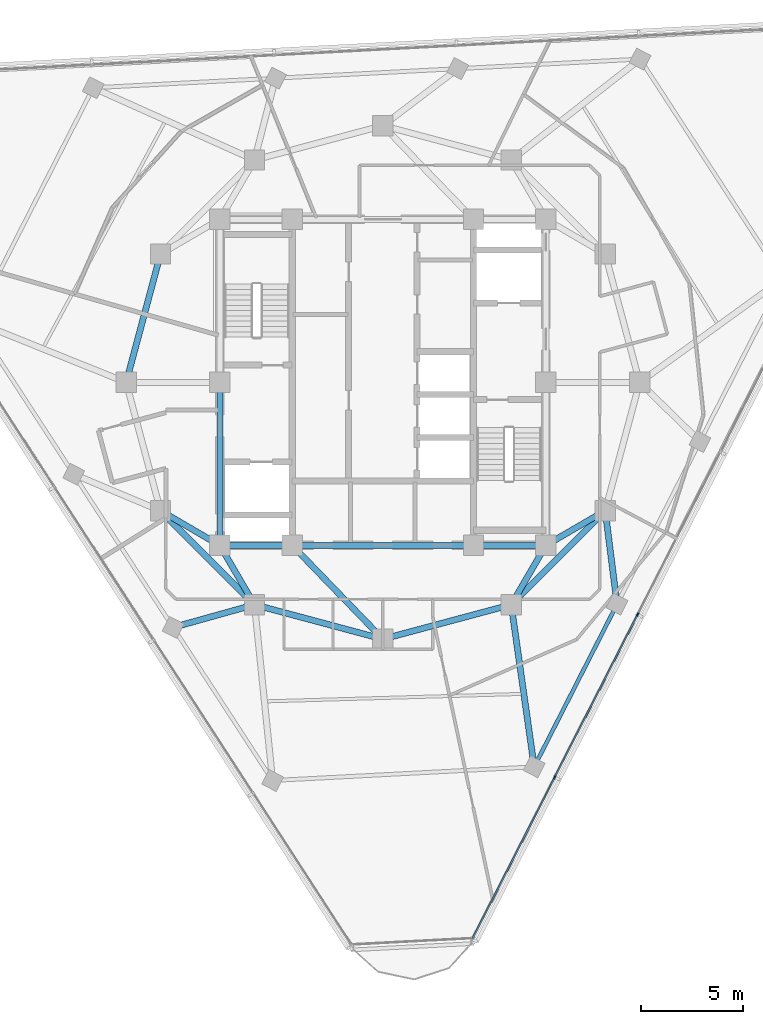
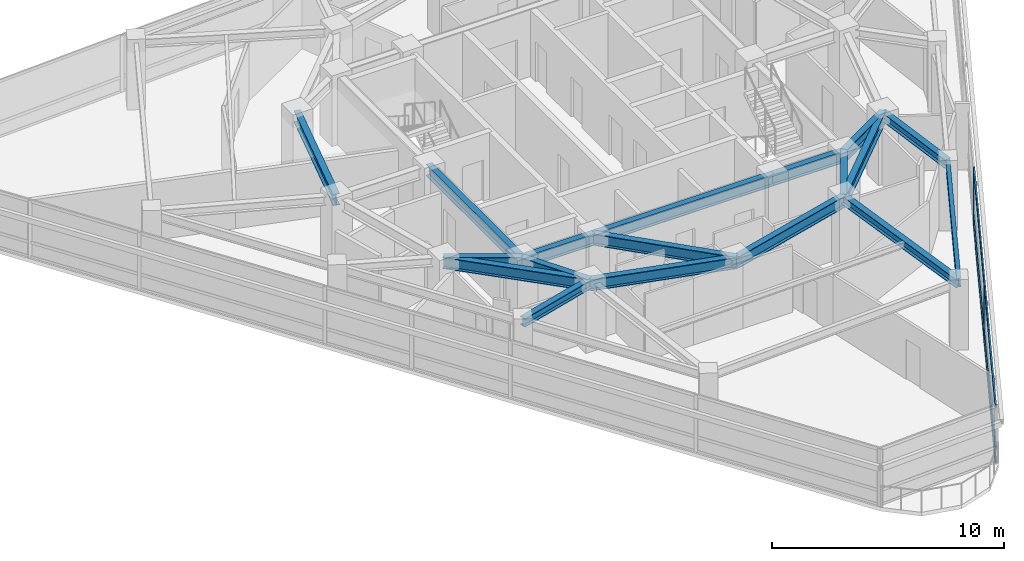
# One storey, part 3 of 15: 18 beams, 8 members, 1 element without a shape of its own.
"""IFC4 building model written with IfcOpenShell, lengths in metres."""

from ifc_helpers import new_model, si_unit, direction, frame, origin, origin_2d, place, context, subcontext, project, spatial, rectangle, i_section, extrude, material, layer, layer_set, material_profile, profile_set, type_object, element, aggregate, save


model = new_model("IFC4")

# Units and contexts
model_context = context("Model", 3, precision=1e-05, world=origin(), true_north=direction((0.0, 1.0)))
body_context = subcontext(model_context, "Body", "Model", "MODEL_VIEW")
ifc_project = project(units=[si_unit("LENGTHUNIT", "METRE"), si_unit("AREAUNIT", "SQUARE_METRE"), si_unit("VOLUMEUNIT", "CUBIC_METRE"), si_unit("PLANEANGLEUNIT", "RADIAN"), si_unit("MASSUNIT", "GRAM", prefix="KILO")], contexts=[model_context])

# Site, building, storey
site_placement = place(None, origin())
site = spatial("IfcSite", under=ifc_project, at=site_placement, CompositionType="ELEMENT")
building_placement = place(site_placement, origin())
building = spatial("IfcBuilding", under=site, at=building_placement, Name="Terralouvre Media Tower", CompositionType="ELEMENT")
storey_placement = place(building_placement, frame((0.0, 0.0, 263.300048828125)))
storey = spatial("IfcBuildingStorey", under=building, at=storey_placement, Name="L68", CompositionType="ELEMENT", Elevation=263.300048828125)

# Curtain wall, members
ifc_material_1 = material(Name="Low-iron laminated double glazing with solar-control coating", Category="glass")
ifc_layer = layer(ifc_material_1, 0.1650390625, Name="Upper Executive Tower Curtain Wall CW-05")
ifc_layer_set = layer_set([ifc_layer], Name="Low-iron laminated double glazing with solar-control coating")
curtain_wall_type = type_object("IfcCurtainWallType", Name="Upper Executive Tower Curtain Wall CW-05", PredefinedType="NOTDEFINED", material=ifc_layer_set)
curtain_wall_placement = place(storey_placement, origin())
curtain_wall = element("IfcCurtainWall", 1, at=curtain_wall_placement, inside=storey, type_object=curtain_wall_type, Name="L68 Facade Curtain Wall F0", PredefinedType="NOTDEFINED")
ifc_material_2 = material(Name="Anodised extruded aluminium 6063-T6", Category="aluminium")
ifc_material_profile_1 = material_profile(ifc_material_2, rectangle(XDim=0.074951171875, YDim=0.14990234375, at=origin_2d()), Name="ALU 75x150")
ifc_profile_set_1 = profile_set([ifc_material_profile_1], Name="Anodised extruded aluminium 6063-T6")
member_type_1 = type_object("IfcMemberType", Name="Curtain-Wall Horizontal Transom TR-150", PredefinedType="USERDEFINED", material=ifc_profile_set_1)
member_1_placement = place(storey_placement, frame((4.3994140625, -27.297607421875, 0.037353515625), z_axis=(0.453977864671, 0.891012961964, 0.0), x_axis=(-0.891012961964, 0.453977864671, 0.0)))
member_1 = element("IfcMember", 2, at=member_1_placement, type_object=member_type_1, Name="CW-05 transom 1.1", ObjectType="TRANSOM", PredefinedType="USERDEFINED", context=body_context, shape_type="SweptSolid", body=[
    extrude(rectangle(XDim=0.074951171875, YDim=0.14990234375, at=origin_2d()), origin(), (0.0, 0.0, 1.0), 8.84765625),
])
member_2_placement = place(storey_placement, frame((4.3994140625, -27.297607421875, 0.800048828125), z_axis=(0.453977864671, 0.891012961964, 0.0), x_axis=(-0.891012961964, 0.453977864671, 0.0)))
member_2 = element("IfcMember", 3, at=member_2_placement, type_object=member_type_1, Name="CW-05 transom 1.2", ObjectType="TRANSOM", PredefinedType="USERDEFINED", context=body_context, shape_type="SweptSolid", body=[
    extrude(rectangle(XDim=0.074951171875, YDim=0.14990234375, at=origin_2d()), origin(), (0.0, 0.0, 1.0), 8.84765625),
])
member_3_placement = place(storey_placement, frame((4.3994140625, -27.297607421875, 2.96240234375), z_axis=(0.453977864671, 0.891012961964, 0.0), x_axis=(-0.891012961964, 0.453977864671, 0.0)))
member_3 = element("IfcMember", 4, at=member_3_placement, type_object=member_type_1, Name="CW-05 transom 1.3", ObjectType="TRANSOM", PredefinedType="USERDEFINED", context=body_context, shape_type="SweptSolid", body=[
    extrude(rectangle(XDim=0.074951171875, YDim=0.14990234375, at=origin_2d()), origin(), (0.0, 0.0, 1.0), 8.84765625),
])
member_4_placement = place(storey_placement, frame((8.449951171875, -19.347412109375, 0.037353515625), z_axis=(0.454015101289, 0.890993988645, 0.0), x_axis=(-0.890993988645, 0.454015101289, 0.0)))
member_4 = element("IfcMember", 5, at=member_4_placement, type_object=member_type_1, Name="CW-05 transom 2.1", ObjectType="TRANSOM", PredefinedType="USERDEFINED", context=body_context, shape_type="SweptSolid", body=[
    extrude(rectangle(XDim=0.074951171875, YDim=0.14990234375, at=origin_2d()), origin(), (0.0, 0.0, 1.0), 8.885009765625),
])
member_5_placement = place(storey_placement, frame((8.449951171875, -19.347412109375, 0.800048828125), z_axis=(0.454015101289, 0.890993988645, 0.0), x_axis=(-0.890993988645, 0.454015101289, 0.0)))
member_5 = element("IfcMember", 6, at=member_5_placement, type_object=member_type_1, Name="CW-05 transom 2.2", ObjectType="TRANSOM", PredefinedType="USERDEFINED", context=body_context, shape_type="SweptSolid", body=[
    extrude(rectangle(XDim=0.074951171875, YDim=0.14990234375, at=origin_2d()), origin(), (0.0, 0.0, 1.0), 8.885009765625),
])
member_6_placement = place(storey_placement, frame((8.449951171875, -19.347412109375, 2.96240234375), z_axis=(0.454015101289, 0.890993988645, 0.0), x_axis=(-0.890993988645, 0.454015101289, 0.0)))
member_6 = element("IfcMember", 7, at=member_6_placement, type_object=member_type_1, Name="CW-05 transom 2.3", ObjectType="TRANSOM", PredefinedType="USERDEFINED", context=body_context, shape_type="SweptSolid", body=[
    extrude(rectangle(XDim=0.074951171875, YDim=0.14990234375, at=origin_2d()), origin(), (0.0, 0.0, 1.0), 8.885009765625),
])
ifc_material_3 = material(Name="Anodised extruded aluminium 6063-T6", Category="aluminium")
ifc_material_profile_2 = material_profile(ifc_material_3, rectangle(XDim=0.074951171875, YDim=0.179931640625, at=origin_2d()), Name="ALU 75x180")
ifc_profile_set_2 = profile_set([ifc_material_profile_2], Name="Anodised extruded aluminium 6063-T6")
member_type_2 = type_object("IfcMemberType", Name="Curtain-Wall Vertical Mullion ML-180", PredefinedType="MULLION", material=ifc_profile_set_2)
member_7_placement = place(storey_placement, frame((8.43310546875, -19.380859375, 0.0), z_axis=(0.0, 0.0, 1.0), x_axis=(-0.891006553308, 0.45399044259, 0.0)))
member_7 = element("IfcMember", 8, at=member_7_placement, type_object=member_type_2, Name="CW-05 mullion 2", PredefinedType="MULLION", context=body_context, shape_type="SweptSolid", body=[
    extrude(rectangle(XDim=0.074951171875, YDim=0.179931640625, at=origin_2d()), origin(), (0.0, 0.0, 1.0), 3.0),
])
member_8_placement = place(storey_placement, frame((12.500732421875, -11.3974609375, 0.0), z_axis=(0.0, 0.0, 1.0), x_axis=(-0.891006553308, 0.45399044259, 0.0)))
member_8 = element("IfcMember", 9, at=member_8_placement, type_object=member_type_2, Name="CW-05 mullion 3", PredefinedType="MULLION", context=body_context, shape_type="SweptSolid", body=[
    extrude(rectangle(XDim=0.074951171875, YDim=0.179931640625, at=origin_2d()), origin(), (0.0, 0.0, 1.0), 3.0),
])
aggregate(curtain_wall, [member_7, member_8, member_1, member_2, member_3, member_4, member_5, member_6])

# Beams
ifc_material_4 = material(Name="Structural steel S355J2", Category="steel")
ifc_material_profile_3 = material_profile(ifc_material_4, i_section(OverallWidth=0.18994140625, OverallDepth=0.449951171875, WebThickness=0.009521484375, FlangeThickness=0.0146484375, at=origin_2d()), Name="IPE 450")
ifc_profile_set_3 = profile_set([ifc_material_profile_3], Name="Structural steel S355J2")
beam_type_1 = type_object("IfcBeamType", Name="Perimeter Spandrel Beam SPB-450 (IPE 450)", PredefinedType="SPANDREL", material=ifc_profile_set_3)
beam_1_placement = place(storey_placement, frame((7.42626953125, -18.867919921875, 3.27490234375), z_axis=(0.453980068772, 0.891011838955, 0.0), x_axis=(-0.891011838955, 0.453980068772, 0.0)))
element("IfcBeam", 10, at=beam_1_placement, inside=storey, type_object=beam_type_1, Name="L68 Framing Beam BM-L68-PR04", PredefinedType="SPANDREL", context=body_context, shape_type="SweptSolid", body=[
    extrude(i_section(OverallWidth=0.18994140625, OverallDepth=0.449951171875, WebThickness=0.009521484375, FlangeThickness=0.0146484375, at=origin_2d()), origin(), (0.0, 0.0, 1.0), 8.9599609375),
])
ifc_material_5 = material(Name="Structural steel S355J2", Category="steel")
ifc_material_profile_4 = material_profile(ifc_material_5, i_section(OverallWidth=0.300048828125, OverallDepth=0.449951171875, WebThickness=0.013916015625, FlangeThickness=0.02587890625, at=origin_2d()), Name="HEB 450")
ifc_profile_set_4 = profile_set([ifc_material_profile_4], Name="Structural steel S355J2")
beam_type_2 = type_object("IfcBeamType", Name="Primary Floor Girder B-HEB450 (HEB 450)", PredefinedType="BEAM", material=ifc_profile_set_4)
beam_2_placement = place(storey_placement, frame((-6.300048828125, -10.911865234375, 3.27490234375), z_axis=(-0.963188145668, -0.268828190571, 0.0), x_axis=(0.268828190571, -0.963188145668, 0.0)))
element("IfcBeam", 11, at=beam_2_placement, inside=storey, type_object=beam_type_2, Name="L68 Framing Beam BM-L68-RD02", PredefinedType="BEAM", context=body_context, shape_type="SweptSolid", body=[
    extrude(i_section(OverallWidth=0.300048828125, OverallDepth=0.449951171875, WebThickness=0.013916015625, FlangeThickness=0.02587890625, at=origin_2d()), origin(), (0.0, 0.0, 1.0), 4.145751953125),
])
beam_3_placement = place(storey_placement, frame((6.300048828125, -10.911865234375, 3.27490234375), z_axis=(0.140157905782, -0.990129164022, 0.0), x_axis=(0.990129164022, 0.140157905782, 0.0)))
element("IfcBeam", 12, at=beam_3_placement, inside=storey, type_object=beam_type_2, Name="L68 Framing Beam BM-L68-RD04", PredefinedType="BEAM", context=body_context, shape_type="SweptSolid", body=[
    extrude(i_section(OverallWidth=0.300048828125, OverallDepth=0.449951171875, WebThickness=0.013916015625, FlangeThickness=0.02587890625, at=origin_2d()), origin(), (0.0, 0.0, 1.0), 8.035400390625),
])
beam_4_placement = place(storey_placement, frame((10.911865234375, -6.300048828125, 3.27490234375), z_axis=(0.125946128673, -0.992037082307, 0.0), x_axis=(0.992037082307, 0.125946128673, 0.0)))
element("IfcBeam", 13, at=beam_4_placement, inside=storey, type_object=beam_type_2, Name="L68 Framing Beam BM-L68-RD05", PredefinedType="BEAM", context=body_context, shape_type="SweptSolid", body=[
    extrude(i_section(OverallWidth=0.300048828125, OverallDepth=0.449951171875, WebThickness=0.013916015625, FlangeThickness=0.02587890625, at=origin_2d()), origin(), (0.0, 0.0, 1.0), 4.621337890625),
])
ifc_material_6 = material(Name="Structural steel S460M", Category="steel")
ifc_material_profile_5 = material_profile(ifc_material_6, i_section(OverallWidth=0.300048828125, OverallDepth=0.60009765625, WebThickness=0.015380859375, FlangeThickness=0.030029296875, at=origin_2d()), Name="HEB 600")
ifc_profile_set_5 = profile_set([ifc_material_profile_5], Name="Structural steel S460M")
beam_type_3 = type_object("IfcBeamType", Name="Primary Floor Girder B-HEB600 (HEB 600)", PredefinedType="BEAM", material=ifc_profile_set_5)
beam_5_placement = place(storey_placement, frame((-8.0, -8.0, 3.199951171875), z_axis=(1.0, 0.0, 0.0), x_axis=(0.0, 1.0, 0.0)))
element("IfcBeam", 14, at=beam_5_placement, inside=storey, type_object=beam_type_3, Name="L68 Framing Beam BM-L68-CPR01", PredefinedType="BEAM", context=body_context, shape_type="SweptSolid", body=[
    extrude(i_section(OverallWidth=0.300048828125, OverallDepth=0.60009765625, WebThickness=0.015380859375, FlangeThickness=0.030029296875, at=origin_2d()), origin(), (0.0, 0.0, 1.0), 3.550048828125),
])
beam_6_placement = place(storey_placement, frame((-4.449951171875, -8.0, 3.199951171875), z_axis=(1.0, 0.0, 0.0), x_axis=(0.0, 1.0, 0.0)))
element("IfcBeam", 15, at=beam_6_placement, inside=storey, type_object=beam_type_3, Name="L68 Framing Beam BM-L68-CPR02", PredefinedType="BEAM", context=body_context, shape_type="SweptSolid", body=[
    extrude(i_section(OverallWidth=0.300048828125, OverallDepth=0.60009765625, WebThickness=0.015380859375, FlangeThickness=0.030029296875, at=origin_2d()), origin(), (0.0, 0.0, 1.0), 8.89990234375),
])
beam_7_placement = place(storey_placement, frame((4.449951171875, -8.0, 3.199951171875), z_axis=(1.0, 0.0, 0.0), x_axis=(0.0, 1.0, 0.0)))
element("IfcBeam", 16, at=beam_7_placement, inside=storey, type_object=beam_type_3, Name="L68 Framing Beam BM-L68-CPR03", PredefinedType="BEAM", context=body_context, shape_type="SweptSolid", body=[
    extrude(i_section(OverallWidth=0.300048828125, OverallDepth=0.60009765625, WebThickness=0.015380859375, FlangeThickness=0.030029296875, at=origin_2d()), origin(), (0.0, 0.0, 1.0), 3.550048828125),
])
beam_8_placement = place(storey_placement, frame((-8.0, 0.0, 3.199951171875), z_axis=(0.0, -1.0, 0.0), x_axis=(1.0, 0.0, 0.0)))
element("IfcBeam", 17, at=beam_8_placement, inside=storey, type_object=beam_type_3, Name="L68 Framing Beam BM-L68-CPR10", PredefinedType="BEAM", context=body_context, shape_type="SweptSolid", body=[
    extrude(i_section(OverallWidth=0.300048828125, OverallDepth=0.60009765625, WebThickness=0.015380859375, FlangeThickness=0.030029296875, at=origin_2d()), origin(), (0.0, 0.0, 1.0), 8.0),
])
beam_9_placement = place(storey_placement, frame((-10.911865234375, -6.300048828125, 3.199951171875), z_axis=(0.707106781187, -0.707106781187, 0.0), x_axis=(0.707106781187, 0.707106781187, 0.0)))
element("IfcBeam", 18, at=beam_9_placement, inside=storey, type_object=beam_type_3, Name="L68 Framing Beam BM-L68-MR01", PredefinedType="BEAM", context=body_context, shape_type="SweptSolid", body=[
    extrude(i_section(OverallWidth=0.300048828125, OverallDepth=0.60009765625, WebThickness=0.015380859375, FlangeThickness=0.030029296875, at=origin_2d()), origin(), (0.0, 0.0, 1.0), 6.52197265625),
])
for number, where, z_axis, x_axis, name in (
    (19, (-6.300048828125, -10.911865234375, 3.199951171875), (0.965920481897, -0.258838989821, 0.0), (0.258838989821, 0.965920481897, 0.0), "L68 Framing Beam BM-L68-MR02"),
    (20, (0.0, -12.60009765625, 3.199951171875), (0.965920481897, 0.258838989821, 0.0), (-0.258838989821, 0.965920481897, 0.0), "L68 Framing Beam BM-L68-MR03"),
):
    element("IfcBeam", number, at=place(storey_placement, frame(where, z_axis=z_axis, x_axis=x_axis)), inside=storey, type_object=beam_type_3, Name=name, PredefinedType="BEAM", context=body_context, shape_type="SweptSolid", body=[
        extrude(i_section(OverallWidth=0.300048828125, OverallDepth=0.60009765625, WebThickness=0.015380859375, FlangeThickness=0.030029296875, at=origin_2d()), origin(), (0.0, 0.0, 1.0), 6.522216796875),
    ])
beam_10_placement = place(storey_placement, frame((6.300048828125, -10.911865234375, 3.199951171875), z_axis=(0.707106781187, 0.707106781187, 0.0), x_axis=(-0.707106781187, 0.707106781187, 0.0)))
element("IfcBeam", 21, at=beam_10_placement, inside=storey, type_object=beam_type_3, Name="L68 Framing Beam BM-L68-MR04", PredefinedType="BEAM", context=body_context, shape_type="SweptSolid", body=[
    extrude(i_section(OverallWidth=0.300048828125, OverallDepth=0.60009765625, WebThickness=0.015380859375, FlangeThickness=0.030029296875, at=origin_2d()), origin(), (0.0, 0.0, 1.0), 6.52197265625),
])
beam_11_placement = place(storey_placement, frame((-10.911865234375, 6.300048828125, 3.199951171875), z_axis=(-0.258838989821, -0.965920481897, 0.0), x_axis=(0.965920481897, -0.258838989821, 0.0)))
element("IfcBeam", 22, at=beam_11_placement, inside=storey, type_object=beam_type_3, Name="L68 Framing Beam BM-L68-MR11", PredefinedType="BEAM", context=body_context, shape_type="SweptSolid", body=[
    extrude(i_section(OverallWidth=0.300048828125, OverallDepth=0.60009765625, WebThickness=0.015380859375, FlangeThickness=0.030029296875, at=origin_2d()), origin(), (0.0, 0.0, 1.0), 6.522216796875),
])
for number, where, z_axis, x_axis, name in (
    (23, (-8.0, -8.0, 3.199951171875), (-0.863602894532, 0.504172629717, 0.0), (-0.504172629717, -0.863602894532, 0.0), "L68 Framing Beam BM-L68-CM01"),
    (24, (-8.0, -8.0, 3.199951171875), (0.504172629717, -0.863602894532, 0.0), (0.863602894532, 0.504172629717, 0.0), "L68 Framing Beam BM-L68-CM02"),
):
    element("IfcBeam", number, at=place(storey_placement, frame(where, z_axis=z_axis, x_axis=x_axis)), inside=storey, type_object=beam_type_3, Name=name, PredefinedType="BEAM", context=body_context, shape_type="SweptSolid", body=[
        extrude(i_section(OverallWidth=0.300048828125, OverallDepth=0.60009765625, WebThickness=0.015380859375, FlangeThickness=0.030029296875, at=origin_2d()), origin(), (0.0, 0.0, 1.0), 3.371826171875),
    ])
beam_12_placement = place(storey_placement, frame((-4.449951171875, -8.0, 3.199951171875), z_axis=(0.695279715726, -0.718739255155, 0.0), x_axis=(0.718739255155, 0.695279715726, 0.0)))
element("IfcBeam", 25, at=beam_12_placement, inside=storey, type_object=beam_type_3, Name="L68 Framing Beam BM-L68-CM03", PredefinedType="BEAM", context=body_context, shape_type="SweptSolid", body=[
    extrude(i_section(OverallWidth=0.300048828125, OverallDepth=0.60009765625, WebThickness=0.015380859375, FlangeThickness=0.030029296875, at=origin_2d()), origin(), (0.0, 0.0, 1.0), 6.400146484375),
])
for number, where, z_axis, x_axis, name in (
    (26, (8.0, -8.0, 3.199951171875), (-0.504172629717, -0.863602894532, 0.0), (0.863602894532, -0.504172629717, 0.0), "L68 Framing Beam BM-L68-CM04"),
    (27, (8.0, -8.0, 3.199951171875), (0.863602894532, 0.504172629717, 0.0), (-0.504172629717, 0.863602894532, 0.0), "L68 Framing Beam BM-L68-CM05"),
):
    element("IfcBeam", number, at=place(storey_placement, frame(where, z_axis=z_axis, x_axis=x_axis)), inside=storey, type_object=beam_type_3, Name=name, PredefinedType="BEAM", context=body_context, shape_type="SweptSolid", body=[
        extrude(i_section(OverallWidth=0.300048828125, OverallDepth=0.60009765625, WebThickness=0.015380859375, FlangeThickness=0.030029296875, at=origin_2d()), origin(), (0.0, 0.0, 1.0), 3.371826171875),
    ])

save(model, "model.ifc")
